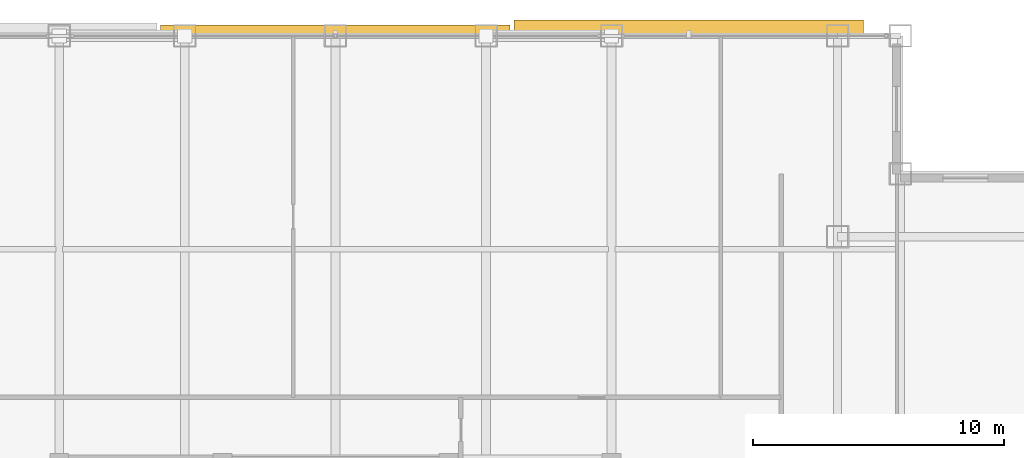
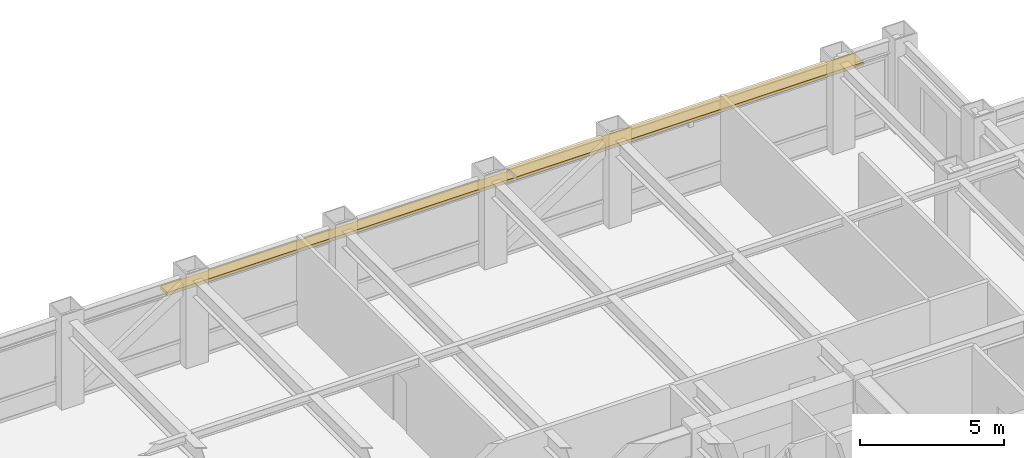
# One storey, part 27 of 27: 2 shading devices.
"""IFC4 building model written with IfcOpenShell, lengths in metres."""

from ifc_helpers import new_model, si_unit, direction, frame, origin, origin_2d, place, context, subcontext, project, spatial, rectangle, extrude, source, transform, mapped, material, layer, layer_set, type_object, element, save


model = new_model("IFC4")

# Units and contexts
model_context = context("Model", 3, precision=1e-05, world=origin(), true_north=direction((0.0, 1.0)))
body_context = subcontext(model_context, "Body", "Model", "MODEL_VIEW")
ifc_project = project(units=[si_unit("LENGTHUNIT", "METRE"), si_unit("AREAUNIT", "SQUARE_METRE"), si_unit("VOLUMEUNIT", "CUBIC_METRE"), si_unit("PLANEANGLEUNIT", "RADIAN"), si_unit("MASSUNIT", "GRAM", prefix="KILO")], contexts=[model_context])

# Site, building, storey
site_placement = place(None, origin())
site = spatial("IfcSite", under=ifc_project, at=site_placement, CompositionType="ELEMENT")
building_placement = place(site_placement, origin())
building = spatial("IfcBuilding", under=site, at=building_placement, Name="Khorayat Bourse Tower", CompositionType="ELEMENT")
storey_placement = place(building_placement, frame((0.0, 0.0, 317.5)))
storey = spatial("IfcBuildingStorey", under=building, at=storey_placement, Name="L75", CompositionType="ELEMENT", Elevation=317.5)

# Shading devices
ifc_material = material(Name="Precast concrete C45/55", Category="concrete")
ifc_layer = layer(ifc_material, 0.139892578125)
ifc_layer_set = layer_set([ifc_layer], Name="Precast concrete C45/55")
shading_device_type = type_object("IfcShadingDeviceType", Name="SHD-WAVE-TRAY-A", PredefinedType="USERDEFINED", material=ifc_layer_set)
shared_shape_1 = source(origin(), body_context, "Body", "SweptSolid", [
    extrude(rectangle(XDim=13.9267578125, YDim=0.458984375, at=origin_2d()), origin(), (0.0, 0.0, 1.0), 0.139892578125),
])
shading_device_1_placement = place(storey_placement, frame((0.0, 28.209716796875, 3.0302734375), z_axis=(0.0, 0.0, 1.0), x_axis=(1.0, 0.0, 0.0)))
element("IfcShadingDevice", 1, at=shading_device_1_placement, inside=storey, type_object=shading_device_type, Name="L75 Sinusoidal Wave Sunshade Tray N-2", ObjectType="SUNSHADE", PredefinedType="USERDEFINED", context=body_context, shape_type="MappedRepresentation", body=[
    mapped(shared_shape_1, transform((0.0, 0.0, 0.0), scale=1.0)),
])
shared_shape_2 = source(origin(), body_context, "Body", "SweptSolid", [
    extrude(rectangle(XDim=13.9267578125, YDim=0.65087890625, at=origin_2d()), origin(), (0.0, 0.0, 1.0), 0.139892578125),
])
shading_device_2_placement = place(storey_placement, frame((14.066650390625, 28.305419921875, 3.0302734375), z_axis=(0.0, 0.0, 1.0), x_axis=(1.0, 0.0, 0.0)))
element("IfcShadingDevice", 2, at=shading_device_2_placement, inside=storey, type_object=shading_device_type, Name="L75 Sinusoidal Wave Sunshade Tray N-3", ObjectType="SUNSHADE", PredefinedType="USERDEFINED", context=body_context, shape_type="MappedRepresentation", body=[
    mapped(shared_shape_2, transform((0.0, 0.0, 0.0), scale=1.0)),
])

save(model, "model.ifc")
